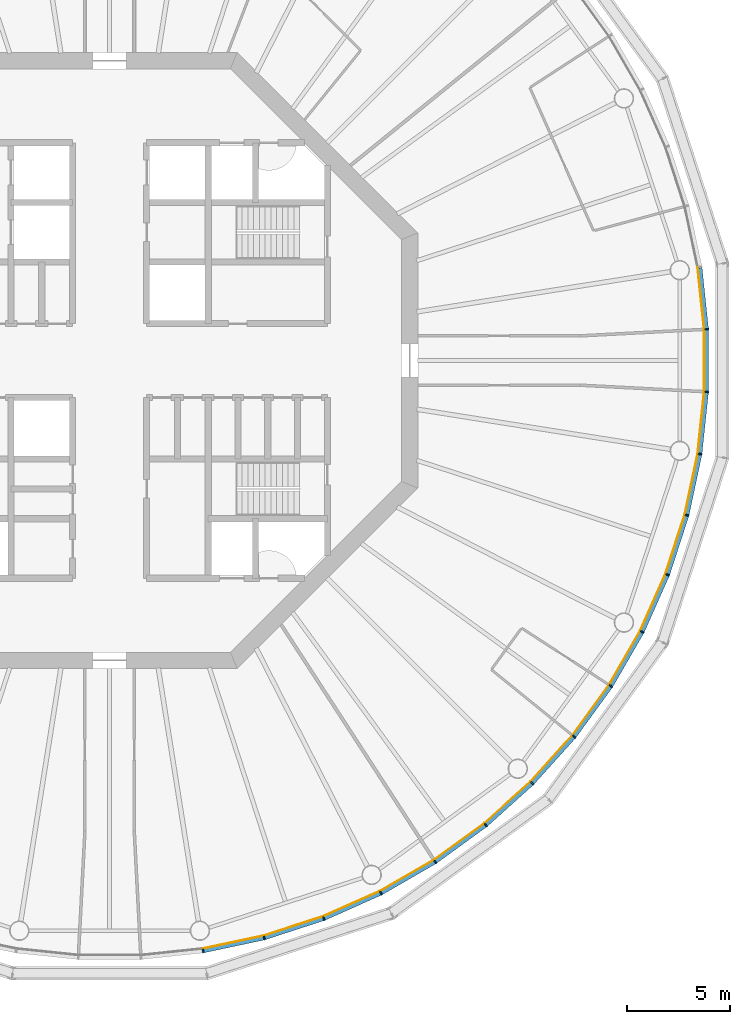
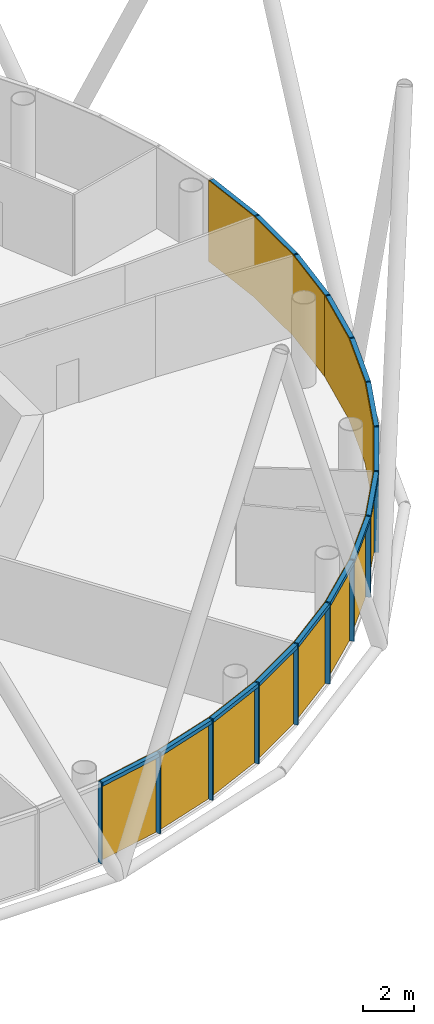
# One storey, part 9 of 13: 30 members, 5 curtain walls.
"""IFC4 building model written with IfcOpenShell, lengths in metres."""

from ifc_helpers import new_model, si_unit, direction, frame, origin, origin_2d, place, context, subcontext, project, spatial, polyline, rectangle, outline, extrude, material, layer, layer_set, material_profile, profile_set, type_object, element, aggregate, save


model = new_model("IFC4")

# Units and contexts
model_context = context("Model", 3, precision=1e-05, world=origin(), true_north=direction((0.0, 1.0)))
body_context = subcontext(model_context, "Body", "Model", "MODEL_VIEW")
ifc_project = project(units=[si_unit("LENGTHUNIT", "METRE"), si_unit("AREAUNIT", "SQUARE_METRE"), si_unit("VOLUMEUNIT", "CUBIC_METRE"), si_unit("PLANEANGLEUNIT", "RADIAN"), si_unit("MASSUNIT", "GRAM", prefix="KILO")], contexts=[model_context])

# Member
ifc_material_1 = material(Name="Anodised aluminium", Category="aluminium")
ifc_material_profile_1 = material_profile(ifc_material_1, rectangle(XDim=0.06494140625, YDim=0.195068359375, at=origin_2d()), Name="Mullion 65 x 195 mm anodised aluminium")
ifc_profile_set_1 = profile_set([ifc_material_profile_1], Name="Anodised aluminium")
member_type_1 = type_object("IfcMemberType", Name="Mullion 65 x 195 mm anodised aluminium", PredefinedType="MULLION", material=ifc_profile_set_1)
site_placement = place(None, origin())
building_placement = place(site_placement, origin())
storey_placement = place(building_placement, frame((0.0, 0.0, 310.0)))
member_1_placement = place(storey_placement, frame((94.5517578125, 51.2607421875, 0.0), z_axis=(0.0, 0.0, 1.0), x_axis=(0.987688340595, 0.15643446504, 0.0)))
member_1 = element("IfcMember", 1, at=member_1_placement, type_object=member_type_1, Name="MULLION L71-45", PredefinedType="MULLION", context=body_context, shape_type="SweptSolid", body=[
    extrude(rectangle(XDim=0.06494140625, YDim=0.195068359375, at=origin_2d()), origin(), (0.0, 0.0, 1.0), 3.85009765625),
])

member_2_placement = place(storey_placement, frame((97.531005859375, 51.89404296875, 0.0), z_axis=(0.0, 0.0, 1.0), x_axis=(0.965925826289, 0.258819045103, 0.0)))
member_2 = element("IfcMember", 2, at=member_2_placement, type_object=member_type_1, Name="MULLION L71-46", PredefinedType="MULLION", context=body_context, shape_type="SweptSolid", body=[
    extrude(rectangle(XDim=0.06494140625, YDim=0.195068359375, at=origin_2d()), origin(), (0.0, 0.0, 1.0), 3.85009765625),
])

member_3_placement = place(storey_placement, frame((100.427490234375, 52.835205078125, 0.0), z_axis=(0.0, 0.0, 1.0), x_axis=(0.933580426497, 0.358367949545, 0.0)))
member_3 = element("IfcMember", 3, at=member_3_placement, type_object=member_type_1, Name="MULLION L71-47", PredefinedType="MULLION", context=body_context, shape_type="SweptSolid", body=[
    extrude(rectangle(XDim=0.06494140625, YDim=0.195068359375, at=origin_2d()), origin(), (0.0, 0.0, 1.0), 3.85009765625),
])

member_4_placement = place(storey_placement, frame((103.2099609375, 54.073974609375, 0.0), z_axis=(0.0, 0.0, 1.0), x_axis=(0.891006524188, 0.45399049974, 0.0)))
member_4 = element("IfcMember", 4, at=member_4_placement, type_object=member_type_1, Name="MULLION L71-48", PredefinedType="MULLION", context=body_context, shape_type="SweptSolid", body=[
    extrude(rectangle(XDim=0.06494140625, YDim=0.195068359375, at=origin_2d()), origin(), (0.0, 0.0, 1.0), 3.85009765625),
])

member_5_placement = place(storey_placement, frame((105.84765625, 55.5966796875, 0.0), z_axis=(0.0, 0.0, 1.0), x_axis=(0.838670567945, 0.544639035015, 0.0)))
member_5 = element("IfcMember", 5, at=member_5_placement, type_object=member_type_1, Name="MULLION L71-49", PredefinedType="MULLION", context=body_context, shape_type="SweptSolid", body=[
    extrude(rectangle(XDim=0.06494140625, YDim=0.195068359375, at=origin_2d()), origin(), (0.0, 0.0, 1.0), 3.85009765625),
])

member_6_placement = place(storey_placement, frame((108.311767578125, 57.386962890625, 0.0), z_axis=(0.0, 0.0, 1.0), x_axis=(0.777145961457, 0.62932039105, 0.0)))
member_6 = element("IfcMember", 6, at=member_6_placement, type_object=member_type_1, Name="MULLION L71-50", PredefinedType="MULLION", context=body_context, shape_type="SweptSolid", body=[
    extrude(rectangle(XDim=0.06494140625, YDim=0.195068359375, at=origin_2d()), origin(), (0.0, 0.0, 1.0), 3.85009765625),
])

member_7_placement = place(storey_placement, frame((110.574951171875, 59.425048828125, 0.0), z_axis=(0.0, 0.0, 1.0), x_axis=(0.707106781187, 0.707106781187, 0.0)))
member_7 = element("IfcMember", 7, at=member_7_placement, type_object=member_type_1, Name="MULLION L71-51", PredefinedType="MULLION", context=body_context, shape_type="SweptSolid", body=[
    extrude(rectangle(XDim=0.06494140625, YDim=0.195068359375, at=origin_2d()), origin(), (0.0, 0.0, 1.0), 3.85009765625),
])

member_8_placement = place(storey_placement, frame((112.613037109375, 61.688232421875, 0.0), z_axis=(0.0, 0.0, 1.0), x_axis=(0.62932039105, 0.777145961457, 0.0)))
member_8 = element("IfcMember", 8, at=member_8_placement, type_object=member_type_1, Name="MULLION L71-52", PredefinedType="MULLION", context=body_context, shape_type="SweptSolid", body=[
    extrude(rectangle(XDim=0.06494140625, YDim=0.195068359375, at=origin_2d()), origin(), (0.0, 0.0, 1.0), 3.85009765625),
])

member_9_placement = place(storey_placement, frame((114.4033203125, 64.15234375, 0.0), z_axis=(0.0, 0.0, 1.0), x_axis=(0.544639035015, 0.838670567945, 0.0)))
member_9 = element("IfcMember", 9, at=member_9_placement, type_object=member_type_1, Name="MULLION L71-53", PredefinedType="MULLION", context=body_context, shape_type="SweptSolid", body=[
    extrude(rectangle(XDim=0.06494140625, YDim=0.195068359375, at=origin_2d()), origin(), (0.0, 0.0, 1.0), 3.85009765625),
])

member_10_placement = place(storey_placement, frame((115.926025390625, 66.7900390625, 0.0), z_axis=(0.0, 0.0, 1.0), x_axis=(0.45399049974, 0.891006524188, 0.0)))
member_10 = element("IfcMember", 10, at=member_10_placement, type_object=member_type_1, Name="MULLION L71-54", PredefinedType="MULLION", context=body_context, shape_type="SweptSolid", body=[
    extrude(rectangle(XDim=0.06494140625, YDim=0.195068359375, at=origin_2d()), origin(), (0.0, 0.0, 1.0), 3.85009765625),
])

member_11_placement = place(storey_placement, frame((117.164794921875, 69.572509765625, 0.0), z_axis=(0.0, 0.0, 1.0), x_axis=(0.358367949545, 0.933580426497, 0.0)))
member_11 = element("IfcMember", 11, at=member_11_placement, type_object=member_type_1, Name="MULLION L71-55", PredefinedType="MULLION", context=body_context, shape_type="SweptSolid", body=[
    extrude(rectangle(XDim=0.06494140625, YDim=0.195068359375, at=origin_2d()), origin(), (0.0, 0.0, 1.0), 3.85009765625),
])

member_12_placement = place(storey_placement, frame((118.10595703125, 72.468994140625, 0.0), z_axis=(0.0, 0.0, 1.0), x_axis=(0.258819045103, 0.965925826289, 0.0)))
member_12 = element("IfcMember", 12, at=member_12_placement, type_object=member_type_1, Name="MULLION L71-56", PredefinedType="MULLION", context=body_context, shape_type="SweptSolid", body=[
    extrude(rectangle(XDim=0.06494140625, YDim=0.195068359375, at=origin_2d()), origin(), (0.0, 0.0, 1.0), 3.85009765625),
])

member_13_placement = place(storey_placement, frame((118.7392578125, 75.4482421875, 0.0), z_axis=(0.0, 0.0, 1.0), x_axis=(0.15643446504, 0.987688340595, 0.0)))
member_13 = element("IfcMember", 13, at=member_13_placement, type_object=member_type_1, Name="MULLION L71-57", PredefinedType="MULLION", context=body_context, shape_type="SweptSolid", body=[
    extrude(rectangle(XDim=0.06494140625, YDim=0.195068359375, at=origin_2d()), origin(), (0.0, 0.0, 1.0), 3.85009765625),
])

member_14_placement = place(storey_placement, frame((119.0576171875, 78.47705078125, 0.0), z_axis=(0.0, 0.0, 1.0), x_axis=(0.052335956243, 0.998629534755, 0.0)))
member_14 = element("IfcMember", 14, at=member_14_placement, type_object=member_type_1, Name="MULLION L71-58", PredefinedType="MULLION", context=body_context, shape_type="SweptSolid", body=[
    extrude(rectangle(XDim=0.06494140625, YDim=0.195068359375, at=origin_2d()), origin(), (0.0, 0.0, 1.0), 3.85009765625),
])

member_15_placement = place(storey_placement, frame((119.0576171875, 81.52294921875, 0.0), z_axis=(0.0, 0.0, 1.0), x_axis=(-0.052335956243, 0.998629534755, 0.0)))
member_15 = element("IfcMember", 15, at=member_15_placement, type_object=member_type_1, Name="MULLION L71-59", PredefinedType="MULLION", context=body_context, shape_type="SweptSolid", body=[
    extrude(rectangle(XDim=0.06494140625, YDim=0.195068359375, at=origin_2d()), origin(), (0.0, 0.0, 1.0), 3.85009765625),
])

ifc_material_2 = material(Name="Anodised aluminium", Category="aluminium")
ifc_material_profile_2 = material_profile(ifc_material_2, rectangle(XDim=0.195068359375, YDim=0.179931640625, at=origin_2d()), Name="Transom 180 x 195 mm anodised aluminium")
ifc_profile_set_2 = profile_set([ifc_material_profile_2], Name="Anodised aluminium")
member_type_2 = type_object("IfcMemberType", Name="Transom 180 x 195 mm anodised aluminium", PredefinedType="USERDEFINED", material=ifc_profile_set_2)
member_16_placement = place(storey_placement, frame((94.588623046875, 51.268310546875, 3.760009765625), z_axis=(0.978141510112, 0.207940342877, 0.0), x_axis=(-0.207940342877, 0.978141510112, 0.0)))
member_16 = element("IfcMember", 16, at=member_16_placement, type_object=member_type_2, Name="TRANSOM L71-45", ObjectType="TRANSOM", PredefinedType="USERDEFINED", context=body_context, shape_type="SweptSolid", body=[
    extrude(rectangle(XDim=0.195068359375, YDim=0.179931640625, at=origin_2d()), origin(), (0.0, 0.0, 1.0), 2.970458984375),
])

member_17_placement = place(storey_placement, frame((97.56689453125, 51.905517578125, 3.760009765625), z_axis=(0.951047960094, 0.309043326415, 0.0), x_axis=(-0.309043326415, 0.951047960094, 0.0)))
member_17 = element("IfcMember", 17, at=member_17_placement, type_object=member_type_2, Name="TRANSOM L71-46", ObjectType="TRANSOM", PredefinedType="USERDEFINED", context=body_context, shape_type="SweptSolid", body=[
    extrude(rectangle(XDim=0.195068359375, YDim=0.179931640625, at=origin_2d()), origin(), (0.0, 0.0, 1.0), 2.970458984375),
])

member_18_placement = place(storey_placement, frame((100.4619140625, 52.850341796875, 3.760009765625), z_axis=(0.913550406593, 0.406725527369, 0.0), x_axis=(-0.406725527369, 0.913550406593, 0.0)))
member_18 = element("IfcMember", 18, at=member_18_placement, type_object=member_type_2, Name="TRANSOM L71-47", ObjectType="TRANSOM", PredefinedType="USERDEFINED", context=body_context, shape_type="SweptSolid", body=[
    extrude(rectangle(XDim=0.195068359375, YDim=0.179931640625, at=origin_2d()), origin(), (0.0, 0.0, 1.0), 2.970703125),
])

member_19_placement = place(storey_placement, frame((103.24267578125, 54.092529296875, 3.760009765625), z_axis=(0.866009025146, 0.500028367561, 0.0), x_axis=(-0.500028367561, 0.866009025146, 0.0)))
member_19 = element("IfcMember", 19, at=member_19_placement, type_object=member_type_2, Name="TRANSOM L71-48", ObjectType="TRANSOM", PredefinedType="USERDEFINED", context=body_context, shape_type="SweptSolid", body=[
    extrude(rectangle(XDim=0.195068359375, YDim=0.179931640625, at=origin_2d()), origin(), (0.0, 0.0, 1.0), 2.970458984375),
])

member_20_placement = place(storey_placement, frame((105.878173828125, 55.618896484375, 3.760009765625), z_axis=(0.809030990733, 0.587765987476, 0.0), x_axis=(-0.587765987476, 0.809030990733, 0.0)))
member_20 = element("IfcMember", 20, at=member_20_placement, type_object=member_type_2, Name="TRANSOM L71-49", ObjectType="TRANSOM", PredefinedType="USERDEFINED", context=body_context, shape_type="SweptSolid", body=[
    extrude(rectangle(XDim=0.195068359375, YDim=0.179931640625, at=origin_2d()), origin(), (0.0, 0.0, 1.0), 2.97021484375),
])

member_21_placement = place(storey_placement, frame((108.339599609375, 57.412109375, 3.760009765625), z_axis=(0.743163354343, 0.669110027395, 0.0), x_axis=(-0.669110027395, 0.743163354343, 0.0)))
member_21 = element("IfcMember", 21, at=member_21_placement, type_object=member_type_2, Name="TRANSOM L71-50", ObjectType="TRANSOM", PredefinedType="USERDEFINED", context=body_context, shape_type="SweptSolid", body=[
    extrude(rectangle(XDim=0.195068359375, YDim=0.179931640625, at=origin_2d()), origin(), (0.0, 0.0, 1.0), 2.970458984375),
])

member_22_placement = place(storey_placement, frame((110.600341796875, 59.452880859375, 3.760009765625), z_axis=(0.669110027395, 0.743163354343, 0.0), x_axis=(-0.743163354343, 0.669110027395, 0.0)))
member_22 = element("IfcMember", 22, at=member_22_placement, type_object=member_type_2, Name="TRANSOM L71-51", ObjectType="TRANSOM", PredefinedType="USERDEFINED", context=body_context, shape_type="SweptSolid", body=[
    extrude(rectangle(XDim=0.195068359375, YDim=0.179931640625, at=origin_2d()), origin(), (0.0, 0.0, 1.0), 2.970458984375),
])

member_23_placement = place(storey_placement, frame((112.63525390625, 61.71875, 3.760009765625), z_axis=(0.587765987476, 0.809030990733, 0.0), x_axis=(-0.809030990733, 0.587765987476, 0.0)))
member_23 = element("IfcMember", 23, at=member_23_placement, type_object=member_type_2, Name="TRANSOM L71-52", ObjectType="TRANSOM", PredefinedType="USERDEFINED", context=body_context, shape_type="SweptSolid", body=[
    extrude(rectangle(XDim=0.195068359375, YDim=0.179931640625, at=origin_2d()), origin(), (0.0, 0.0, 1.0), 2.97021484375),
])

member_24_placement = place(storey_placement, frame((114.422119140625, 64.184814453125, 3.760009765625), z_axis=(0.500028367561, 0.866009025146, 0.0), x_axis=(-0.866009025146, 0.500028367561, 0.0)))
member_24 = element("IfcMember", 24, at=member_24_placement, type_object=member_type_2, Name="TRANSOM L71-53", ObjectType="TRANSOM", PredefinedType="USERDEFINED", context=body_context, shape_type="SweptSolid", body=[
    extrude(rectangle(XDim=0.195068359375, YDim=0.179931640625, at=origin_2d()), origin(), (0.0, 0.0, 1.0), 2.970458984375),
])

member_25_placement = place(storey_placement, frame((115.94140625, 66.82421875, 3.760009765625), z_axis=(0.406725527369, 0.913550406593, 0.0), x_axis=(-0.913550406593, 0.406725527369, 0.0)))
member_25 = element("IfcMember", 25, at=member_25_placement, type_object=member_type_2, Name="TRANSOM L71-54", ObjectType="TRANSOM", PredefinedType="USERDEFINED", context=body_context, shape_type="SweptSolid", body=[
    extrude(rectangle(XDim=0.195068359375, YDim=0.179931640625, at=origin_2d()), origin(), (0.0, 0.0, 1.0), 2.970703125),
])

member_26_placement = place(storey_placement, frame((117.176513671875, 69.608154296875, 3.760009765625), z_axis=(0.309043326415, 0.951047960094, 0.0), x_axis=(-0.951047960094, 0.309043326415, 0.0)))
member_26 = element("IfcMember", 26, at=member_26_placement, type_object=member_type_2, Name="TRANSOM L71-55", ObjectType="TRANSOM", PredefinedType="USERDEFINED", context=body_context, shape_type="SweptSolid", body=[
    extrude(rectangle(XDim=0.195068359375, YDim=0.179931640625, at=origin_2d()), origin(), (0.0, 0.0, 1.0), 2.970458984375),
])

member_27_placement = place(storey_placement, frame((118.114013671875, 72.505859375, 3.760009765625), z_axis=(0.207940342877, 0.978141510112, 0.0), x_axis=(-0.978141510112, 0.207940342877, 0.0)))
member_27 = element("IfcMember", 27, at=member_27_placement, type_object=member_type_2, Name="TRANSOM L71-56", ObjectType="TRANSOM", PredefinedType="USERDEFINED", context=body_context, shape_type="SweptSolid", body=[
    extrude(rectangle(XDim=0.195068359375, YDim=0.179931640625, at=origin_2d()), origin(), (0.0, 0.0, 1.0), 2.970458984375),
])

member_28_placement = place(storey_placement, frame((118.743408203125, 75.485595703125, 3.760009765625), z_axis=(0.104466577987, 0.994528397827, 0.0), x_axis=(-0.994528397827, 0.104466577987, 0.0)))
member_28 = element("IfcMember", 28, at=member_28_placement, type_object=member_type_2, Name="TRANSOM L71-57", ObjectType="TRANSOM", PredefinedType="USERDEFINED", context=body_context, shape_type="SweptSolid", body=[
    extrude(rectangle(XDim=0.195068359375, YDim=0.179931640625, at=origin_2d()), origin(), (0.0, 0.0, 1.0), 2.970458984375),
])

member_29_placement = place(storey_placement, frame((119.057861328125, 78.5146484375, 3.760009765625), z_axis=(0.0, 1.0, 0.0), x_axis=(-1.0, 0.0, 0.0)))
member_29 = element("IfcMember", 29, at=member_29_placement, type_object=member_type_2, Name="TRANSOM L71-58", ObjectType="TRANSOM", PredefinedType="USERDEFINED", context=body_context, shape_type="SweptSolid", body=[
    extrude(rectangle(XDim=0.195068359375, YDim=0.179931640625, at=origin_2d()), origin(), (0.0, 0.0, 1.0), 2.970703125),
])

member_30_placement = place(storey_placement, frame((119.0537109375, 81.560302734375, 3.760009765625), z_axis=(-0.104466577987, 0.994528397827, 0.0), x_axis=(-0.994528397827, -0.104466577987, 0.0)))
member_30 = element("IfcMember", 30, at=member_30_placement, type_object=member_type_2, Name="TRANSOM L71-59", ObjectType="TRANSOM", PredefinedType="USERDEFINED", context=body_context, shape_type="SweptSolid", body=[
    extrude(rectangle(XDim=0.195068359375, YDim=0.179931640625, at=origin_2d()), origin(), (0.0, 0.0, 1.0), 2.970458984375),
])

# Site, building, storey
site = spatial("IfcSite", under=ifc_project, at=site_placement, CompositionType="ELEMENT")
building = spatial("IfcBuilding", under=site, at=building_placement, Name="Entoto Ring Tower", CompositionType="ELEMENT")
storey = spatial("IfcBuildingStorey", under=building, at=storey_placement, Name="L71", CompositionType="ELEMENT", Elevation=310.0)

# Curtain wall
ifc_material_3 = material(Name="Clear low-iron glass", Category="glass")
ifc_layer = layer(ifc_material_3, 0.033935546875)
ifc_layer_set = layer_set([ifc_layer], Name="Clear low-iron glass")
curtain_wall_type = type_object("IfcCurtainWallType", Name="Curtain wall system CW5 glazing 34 mm", PredefinedType="NOTDEFINED", material=ifc_layer_set)
curtain_wall_1_placement = place(storey_placement, origin())
curtain_wall_1 = element("IfcCurtainWall", 31, at=curtain_wall_1_placement, inside=storey, type_object=curtain_wall_type, Name="CW5 L71-16", PredefinedType="NOTDEFINED", context=body_context, shape_type="SweptSolid", body=[
    extrude(outline(polyline([(94.53662109375, 51.35693359375), (97.505859375, 51.988037109375), (100.392578125, 52.92626953125), (103.165771484375, 54.160888671875), (103.150146484375, 54.191162109375), (100.38037109375, 52.9580078125), (97.496826171875, 52.02099609375), (94.53125, 51.390625), (94.53662109375, 51.35693359375)])), origin(), (0.0, 0.0, 1.0), 3.85009765625),
])

aggregate(curtain_wall_1, [member_1, member_2, member_3, member_16, member_17, member_18])

curtain_wall_2_placement = place(storey_placement, origin())
curtain_wall_2 = element("IfcCurtainWall", 32, at=curtain_wall_2_placement, inside=storey, type_object=curtain_wall_type, Name="CW5 L71-17", PredefinedType="NOTDEFINED", context=body_context, shape_type="SweptSolid", body=[
    extrude(outline(polyline([(103.165771484375, 54.160888671875), (105.79443359375, 55.678466796875), (108.250244140625, 57.462646484375), (110.506103515625, 59.493896484375), (110.48193359375, 59.51806640625), (108.228759765625, 57.4892578125), (105.77587890625, 55.70703125), (103.150146484375, 54.191162109375), (103.165771484375, 54.160888671875)])), origin(), (0.0, 0.0, 1.0), 3.85009765625),
])

aggregate(curtain_wall_2, [member_4, member_5, member_6, member_19, member_20, member_21])

curtain_wall_3_placement = place(storey_placement, origin())
curtain_wall_3 = element("IfcCurtainWall", 33, at=curtain_wall_3_placement, inside=storey, type_object=curtain_wall_type, Name="CW5 L71-18", PredefinedType="NOTDEFINED", context=body_context, shape_type="SweptSolid", body=[
    extrude(outline(polyline([(110.506103515625, 59.493896484375), (112.537353515625, 61.749755859375), (114.321533203125, 64.20556640625), (115.839111328125, 66.834228515625), (115.808837890625, 66.849853515625), (114.29296875, 64.22412109375), (112.5107421875, 61.771240234375), (110.48193359375, 59.51806640625), (110.506103515625, 59.493896484375)])), origin(), (0.0, 0.0, 1.0), 3.85009765625),
])

aggregate(curtain_wall_3, [member_7, member_8, member_9, member_22, member_23, member_24])

curtain_wall_4_placement = place(storey_placement, origin())
curtain_wall_4 = element("IfcCurtainWall", 34, at=curtain_wall_4_placement, inside=storey, type_object=curtain_wall_type, Name="CW5 L71-19", PredefinedType="NOTDEFINED", context=body_context, shape_type="SweptSolid", body=[
    extrude(outline(polyline([(115.839111328125, 66.834228515625), (117.07373046875, 69.607421875), (118.011962890625, 72.494140625), (118.64306640625, 75.46337890625), (118.609375, 75.46875), (117.97900390625, 72.503173828125), (117.0419921875, 69.61962890625), (115.808837890625, 66.849853515625), (115.839111328125, 66.834228515625)])), origin(), (0.0, 0.0, 1.0), 3.85009765625),
])

aggregate(curtain_wall_4, [member_10, member_11, member_12, member_25, member_26, member_27])

curtain_wall_5_placement = place(storey_placement, origin())
curtain_wall_5 = element("IfcCurtainWall", 35, at=curtain_wall_5_placement, inside=storey, type_object=curtain_wall_type, Name="CW5 L71-20", PredefinedType="NOTDEFINED", context=body_context, shape_type="SweptSolid", body=[
    extrude(outline(polyline([(118.64306640625, 75.46337890625), (118.960205078125, 78.482177734375), (118.960205078125, 81.517822265625), (118.64306640625, 84.53662109375), (118.609375, 84.53125), (118.92626953125, 81.515869140625), (118.92626953125, 78.484130859375), (118.609375, 75.46875), (118.64306640625, 75.46337890625)])), origin(), (0.0, 0.0, 1.0), 3.85009765625),
])

aggregate(curtain_wall_5, [member_13, member_14, member_15, member_28, member_29, member_30])

save(model, "model.ifc")
